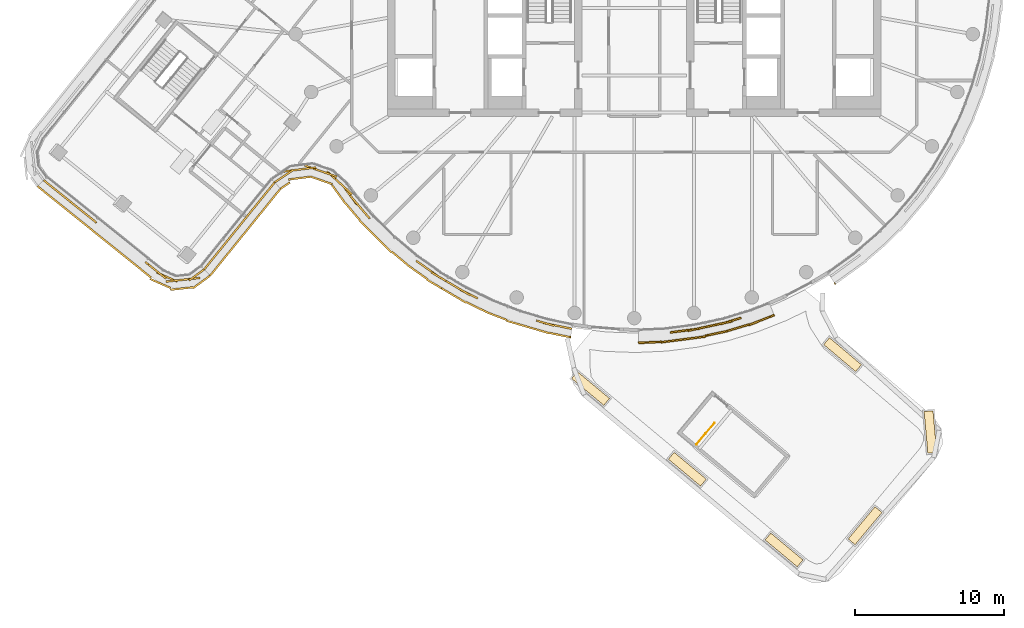
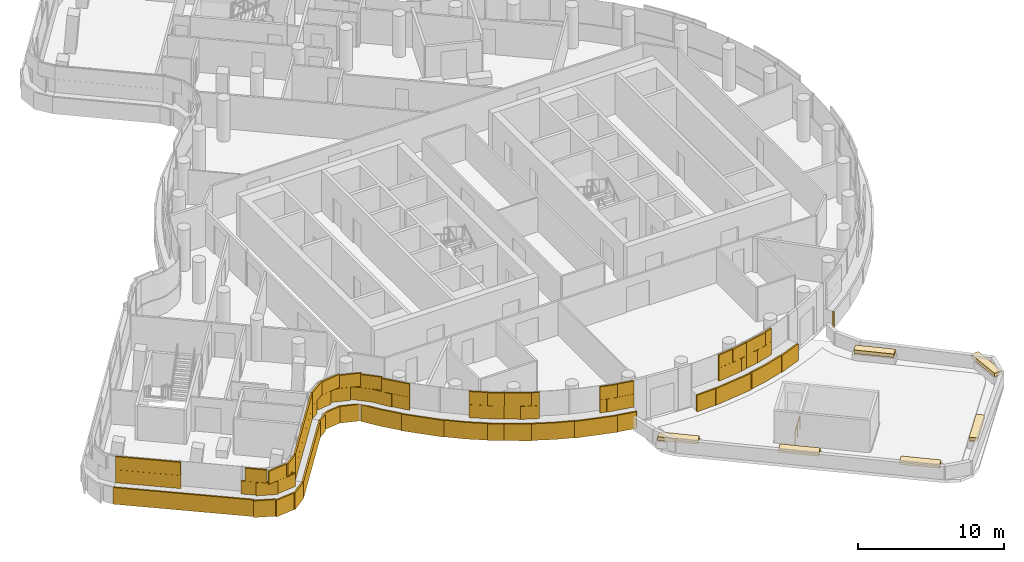
# One storey, part 20 of 25: 12 coverings, 1 railing.
"""IFC4 building model written with IfcOpenShell, lengths in metres."""

from ifc_helpers import new_model, si_unit, direction, frame, origin, origin_2d, place, context, subcontext, project, spatial, rectangle, circle, extrude, material, layer, layer_set, type_object, element, save


model = new_model("IFC4")

# Units and contexts
model_context = context("Model", 3, precision=1e-05, world=origin(), true_north=direction((0.0, 1.0)))
body_context = subcontext(model_context, "Body", "Model", "MODEL_VIEW")
ifc_project = project(units=[si_unit("LENGTHUNIT", "METRE"), si_unit("AREAUNIT", "SQUARE_METRE"), si_unit("VOLUMEUNIT", "CUBIC_METRE"), si_unit("PLANEANGLEUNIT", "RADIAN"), si_unit("MASSUNIT", "GRAM", prefix="KILO")], contexts=[model_context])

# Site, building, storey
site_placement = place(None, origin())
site = spatial("IfcSite", under=ifc_project, at=site_placement, CompositionType="ELEMENT")
building_placement = place(site_placement, origin())
building = spatial("IfcBuilding", under=site, at=building_placement, Name="Tamarind Cross Interchange Tower", CompositionType="ELEMENT")
storey_placement = place(building_placement, frame((0.0, 0.0, 219.89990234375)))
storey = spatial("IfcBuildingStorey", under=building, at=storey_placement, Name="L55", CompositionType="ELEMENT", Elevation=219.89990234375)

# Coverings
ifc_material_1 = material(Name="Planting soil and turf")
covering_type_1 = type_object("IfcCoveringType", Name="Planting bed", PredefinedType="USERDEFINED", material=ifc_material_1)
for number, where, z_axis, x_axis, name in (
    (1, (-2.919921875, -27.703857421875, 0.60009765625), (0.0, 0.0, 1.0), (0.767729103501, -0.640774549773, 0.0), "PLB-L55-RTS0-00"),
    (2, (3.551513671875, -33.10498046875, 0.60009765625), (0.0, 0.0, 1.0), (0.767729103501, -0.640774549773, 0.0), "PLB-L55-RTS0-01"),
    (3, (10.022705078125, -38.50634765625, 0.60009765625), (0.0, 0.0, 1.0), (0.767729103501, -0.640774549773, 0.0), "PLB-L55-RTS0-02"),
    (4, (15.443115234375, -36.886474609375, 0.60009765625), (0.0, 0.0, 1.0), (0.640774549773, 0.767729103501, 0.0), "PLB-L55-RTS0-03"),
    (5, (19.8154296875, -30.61376953125, 0.60009765625), (0.0, 0.0, 1.0), (-0.089770425844, 0.995962484556, 0.0), "PLB-L55-RTS0-04"),
    (6, (13.937744140625, -25.440185546875, 0.60009765625), (0.0, 0.0, 1.0), (-0.764191475133, 0.64498944901, 0.0), "PLB-L55-RTS0-05"),
):
    element("IfcCovering", number, at=place(storey_placement, frame(where, z_axis=z_axis, x_axis=x_axis)), inside=storey, type_object=covering_type_1, Name=name, ObjectType="Planting bed", PredefinedType="USERDEFINED", context=body_context, shape_type="SweptSolid", body=[
        extrude(rectangle(XDim=2.800048828125, YDim=0.60009765625, at=origin_2d()), origin(), (0.0, 0.0, 1.0), 0.300048828125),
    ])

# Railing
ifc_material_2 = material(Name="Stair guard")
railing_type = type_object("IfcRailingType", Name="Stair guard", PredefinedType="GUARDRAIL", material=ifc_material_2)
railing_placement = place(storey_placement, frame((4.154052734375, -31.458740234375, 0.0)))
element("IfcRailing", 7, at=railing_placement, inside=storey, type_object=railing_type, Name="L55 ST6 top well guard 1", PredefinedType="GUARDRAIL", context=body_context, shape_type="SweptSolid", body=[
    extrude(circle(Radius=0.02392578125, at=origin_2d()), frame((0.0, 0.0, 1.076171875), z_axis=(0.640702468313, 0.767789259561, 0.0), x_axis=(-0.767789259561, 0.640702468313, 0.0)), (0.0, 0.0, 1.0), 1.89990234375),
    extrude(circle(Radius=0.02099609375, at=origin_2d()), origin(), (0.0, 0.0, 1.0), 1.052001953125),
    extrude(circle(Radius=0.02099609375, at=origin_2d()), frame((0.608642578125, 0.7294921875, 0.0)), (0.0, 0.0, 1.0), 1.052001953125),
    extrude(circle(Radius=0.02099609375, at=origin_2d()), frame((1.21728515625, 1.458740234375, 0.0)), (0.0, 0.0, 1.0), 1.052001953125),
])

# Coverings
ifc_material_3 = material(Name="Terracotta", Category="masonry")
ifc_layer = layer(ifc_material_3, 0.1201171875)
ifc_layer_set = layer_set([ifc_layer], Name="Terracotta")
covering_type_2 = type_object("IfcCoveringType", Name="Terracotta baguette screen unit", PredefinedType="MOLDING", material=ifc_layer_set)
covering_1_placement = place(storey_placement, origin())
element("IfcCovering", 8, at=covering_1_placement, inside=storey, type_object=covering_type_2, Name="SCR-L55-00-00", PredefinedType="MOLDING", context=body_context, shape_type="SweptSolid", body=[
    extrude(rectangle(XDim=0.760009765625, YDim=0.1201171875, at=origin_2d()), frame((-39.215087890625, -14.008544921875, 1.404296875), z_axis=(0.0, 0.0, 1.0), x_axis=(0.779285467959, -0.62666909883, 0.0)), (0.0, 0.0, 1.0), 1.092041015625),
    extrude(rectangle(XDim=1.52001953125, YDim=0.1201171875, at=origin_2d()), frame((-38.33837890625, -14.71337890625, 1.404296875), z_axis=(0.0, 0.0, 1.0), x_axis=(0.779285467959, -0.62666909883, 0.0)), (0.0, 0.0, 1.0), 1.092041015625),
    extrude(rectangle(XDim=1.52001953125, YDim=0.1201171875, at=origin_2d()), frame((-37.16943359375, -15.653564453125, 1.404296875), z_axis=(0.0, 0.0, 1.0), x_axis=(0.779285467959, -0.62666909883, 0.0)), (0.0, 0.0, 1.0), 1.092041015625),
    extrude(rectangle(XDim=0.78466796875, YDim=0.1201171875, at=origin_2d()), frame((-36.283203125, -16.3662109375, 1.404296875), z_axis=(0.0, 0.0, 1.0), x_axis=(0.779285467959, -0.62666909883, 0.0)), (0.0, 0.0, 1.0), 1.092041015625),
    extrude(rectangle(XDim=1.03515625, YDim=0.1201171875, at=origin_2d()), frame((-32.308837890625, -19.562255859375, 1.404296875), z_axis=(0.0, 0.0, 1.0), x_axis=(0.779285467959, -0.62666909883, 0.0)), (0.0, 0.0, 1.0), 1.092041015625),
    extrude(rectangle(XDim=1.52001953125, YDim=0.1201171875, at=origin_2d()), frame((-31.26025390625, -20.247314453125, 1.404296875), z_axis=(0.0, 0.0, 1.0), x_axis=(0.914925857307, -0.403621946418, 0.0)), (0.0, 0.0, 1.0), 1.092041015625),
    extrude(rectangle(XDim=1.52001953125, YDim=0.1201171875, at=origin_2d()), frame((-29.816162109375, -20.3896484375, 1.404296875), z_axis=(0.0, 0.0, 1.0), x_axis=(0.994160008217, 0.107916069531, 0.0)), (0.0, 0.0, 1.0), 1.092041015625),
    extrude(rectangle(XDim=0.509521484375, YDim=0.1201171875, at=origin_2d()), frame((-28.975830078125, -19.885498046875, 1.404296875), z_axis=(0.0, 0.0, 1.0), x_axis=(0.807009787777, 0.590538061798, 0.0)), (0.0, 0.0, 1.0), 1.092041015625),
    extrude(rectangle(XDim=1.510009765625, YDim=0.1201171875, at=origin_2d()), frame((-38.9228515625, -14.243408203125, 2.50390625), z_axis=(0.0, 0.0, 1.0), x_axis=(0.779285467959, -0.62666909883, 0.0)), (0.0, 0.0, 1.0), 1.092041015625),
    extrude(rectangle(XDim=1.52001953125, YDim=0.1201171875, at=origin_2d()), frame((-37.75390625, -15.183349609375, 2.50390625), z_axis=(0.0, 0.0, 1.0), x_axis=(0.779285467959, -0.62666909883, 0.0)), (0.0, 0.0, 1.0), 1.092041015625),
    extrude(rectangle(XDim=1.52001953125, YDim=0.1201171875, at=origin_2d()), frame((-36.5849609375, -16.12353515625, 2.50390625), z_axis=(0.0, 0.0, 1.0), x_axis=(0.779285467959, -0.62666909883, 0.0)), (0.0, 0.0, 1.0), 1.092041015625),
    extrude(rectangle(XDim=1.52001953125, YDim=0.1201171875, at=origin_2d()), frame((-31.909423828125, -19.883544921875, 2.50390625), z_axis=(0.0, 0.0, 1.0), x_axis=(0.779285467959, -0.62666909883, 0.0)), (0.0, 0.0, 1.0), 1.092041015625),
    extrude(rectangle(XDim=1.52001953125, YDim=0.1201171875, at=origin_2d()), frame((-30.561767578125, -20.470703125, 2.50390625), z_axis=(0.0, 0.0, 1.0), x_axis=(0.994160008217, 0.107916069531, 0.0)), (0.0, 0.0, 1.0), 1.092041015625),
    extrude(rectangle(XDim=1.259521484375, YDim=0.1201171875, at=origin_2d()), frame((-29.278564453125, -20.10693359375, 2.50390625), z_axis=(0.0, 0.0, 1.0), x_axis=(0.807009787777, 0.590538061798, 0.0)), (0.0, 0.0, 1.0), 1.092041015625),
    extrude(rectangle(XDim=0.760009765625, YDim=0.1201171875, at=origin_2d()), frame((-39.6298828125, -14.41162109375, 0.004150390625), z_axis=(0.0, 0.0, 1.0), x_axis=(0.779285467959, -0.62666909883, 0.0)), (0.0, 0.0, 1.0), 1.39208984375),
    extrude(rectangle(XDim=1.52001953125, YDim=0.1201171875, at=origin_2d()), frame((-38.757080078125, -15.11328125, 0.004150390625), z_axis=(0.0, 0.0, 1.0), x_axis=(0.779285467959, -0.62666909883, 0.0)), (0.0, 0.0, 1.0), 1.39208984375),
    extrude(rectangle(XDim=1.52001953125, YDim=0.1201171875, at=origin_2d()), frame((-37.588134765625, -16.053466796875, 0.004150390625), z_axis=(0.0, 0.0, 1.0), x_axis=(0.779285467959, -0.62666909883, 0.0)), (0.0, 0.0, 1.0), 1.39208984375),
    extrude(rectangle(XDim=1.52001953125, YDim=0.1201171875, at=origin_2d()), frame((-36.419189453125, -16.993408203125, 0.004150390625), z_axis=(0.0, 0.0, 1.0), x_axis=(0.779285467959, -0.62666909883, 0.0)), (0.0, 0.0, 1.0), 1.39208984375),
    extrude(rectangle(XDim=1.52001953125, YDim=0.1201171875, at=origin_2d()), frame((-35.250244140625, -17.933349609375, 0.004150390625), z_axis=(0.0, 0.0, 1.0), x_axis=(0.779285467959, -0.62666909883, 0.0)), (0.0, 0.0, 1.0), 1.39208984375),
    extrude(rectangle(XDim=1.52001953125, YDim=0.1201171875, at=origin_2d()), frame((-34.081298828125, -18.873291015625, 0.004150390625), z_axis=(0.0, 0.0, 1.0), x_axis=(0.779285467959, -0.62666909883, 0.0)), (0.0, 0.0, 1.0), 1.39208984375),
    extrude(rectangle(XDim=1.52001953125, YDim=0.1201171875, at=origin_2d()), frame((-32.912353515625, -19.8134765625, 0.004150390625), z_axis=(0.0, 0.0, 1.0), x_axis=(0.779285467959, -0.62666909883, 0.0)), (0.0, 0.0, 1.0), 1.39208984375),
    extrude(rectangle(XDim=1.52001953125, YDim=0.1201171875, at=origin_2d()), frame((-31.699462890625, -20.680908203125, 0.004150390625), z_axis=(0.0, 0.0, 1.0), x_axis=(0.914925857307, -0.403621946418, 0.0)), (0.0, 0.0, 1.0), 1.39208984375),
    extrude(rectangle(XDim=1.52001953125, YDim=0.1201171875, at=origin_2d()), frame((-30.285400390625, -21.01806640625, 0.004150390625), z_axis=(0.0, 0.0, 1.0), x_axis=(0.994160008217, 0.107916069531, 0.0)), (0.0, 0.0, 1.0), 1.39208984375),
    extrude(rectangle(XDim=1.426025390625, YDim=0.1201171875, at=origin_2d()), frame((-28.95068359375, -20.578125, 0.004150390625), z_axis=(0.0, 0.0, 1.0), x_axis=(0.807009787777, 0.590538061798, 0.0)), (0.0, 0.0, 1.0), 1.39208984375),
])
covering_2_placement = place(storey_placement, origin())
element("IfcCovering", 9, at=covering_2_placement, inside=storey, type_object=covering_type_2, Name="SCR-L55-01-00", PredefinedType="MOLDING", context=body_context, shape_type="SweptSolid", body=[
    extrude(rectangle(XDim=0.760009765625, YDim=0.1201171875, at=origin_2d()), frame((-28.538330078125, -19.446533203125, 1.404296875), z_axis=(0.0, 0.0, 1.0), x_axis=(0.629405990184, 0.777076636839, 0.0)), (0.0, 0.0, 1.0), 1.092041015625),
    extrude(rectangle(XDim=1.52001953125, YDim=0.1201171875, at=origin_2d()), frame((-27.830322265625, -18.572265625, 1.404296875), z_axis=(0.0, 0.0, 1.0), x_axis=(0.629405990184, 0.777076636839, 0.0)), (0.0, 0.0, 1.0), 1.092041015625),
    extrude(rectangle(XDim=1.52001953125, YDim=0.1201171875, at=origin_2d()), frame((-26.88623046875, -17.40673828125, 1.404296875), z_axis=(0.0, 0.0, 1.0), x_axis=(0.629405990184, 0.777076636839, 0.0)), (0.0, 0.0, 1.0), 1.092041015625),
    extrude(rectangle(XDim=1.52001953125, YDim=0.1201171875, at=origin_2d()), frame((-25.942138671875, -16.240966796875, 1.404296875), z_axis=(0.0, 0.0, 1.0), x_axis=(0.629405990184, 0.777076636839, 0.0)), (0.0, 0.0, 1.0), 1.092041015625),
    extrude(rectangle(XDim=1.52001953125, YDim=0.1201171875, at=origin_2d()), frame((-24.998046875, -15.075439453125, 1.404296875), z_axis=(0.0, 0.0, 1.0), x_axis=(0.629405990184, 0.777076636839, 0.0)), (0.0, 0.0, 1.0), 1.092041015625),
    extrude(rectangle(XDim=0.75537109375, YDim=0.1201171875, at=origin_2d()), frame((-24.291259765625, -14.203125, 1.404296875), z_axis=(0.0, 0.0, 1.0), x_axis=(0.629405990184, 0.777076636839, 0.0)), (0.0, 0.0, 1.0), 1.092041015625),
    extrude(rectangle(XDim=1.510009765625, YDim=0.1201171875, at=origin_2d()), frame((-28.30224609375, -19.155029296875, 2.50390625), z_axis=(0.0, 0.0, 1.0), x_axis=(0.629405990184, 0.777076636839, 0.0)), (0.0, 0.0, 1.0), 1.092041015625),
    extrude(rectangle(XDim=1.52001953125, YDim=0.1201171875, at=origin_2d()), frame((-27.358154296875, -17.989501953125, 2.50390625), z_axis=(0.0, 0.0, 1.0), x_axis=(0.629405990184, 0.777076636839, 0.0)), (0.0, 0.0, 1.0), 1.092041015625),
    extrude(rectangle(XDim=1.52001953125, YDim=0.1201171875, at=origin_2d()), frame((-26.4140625, -16.823974609375, 2.50390625), z_axis=(0.0, 0.0, 1.0), x_axis=(0.629405990184, 0.777076636839, 0.0)), (0.0, 0.0, 1.0), 1.092041015625),
    extrude(rectangle(XDim=1.52001953125, YDim=0.1201171875, at=origin_2d()), frame((-25.469970703125, -15.658203125, 2.50390625), z_axis=(0.0, 0.0, 1.0), x_axis=(0.629405990184, 0.777076636839, 0.0)), (0.0, 0.0, 1.0), 1.092041015625),
    extrude(rectangle(XDim=1.50537109375, YDim=0.1201171875, at=origin_2d()), frame((-24.52734375, -14.494384765625, 2.50390625), z_axis=(0.0, 0.0, 1.0), x_axis=(0.629405990184, 0.777076636839, 0.0)), (0.0, 0.0, 1.0), 1.092041015625),
    extrude(rectangle(XDim=0.760009765625, YDim=0.1201171875, at=origin_2d()), frame((-28.135986328125, -19.86181640625, 0.004150390625), z_axis=(0.0, 0.0, 1.0), x_axis=(0.629405990184, 0.777076636839, 0.0)), (0.0, 0.0, 1.0), 1.39208984375),
    extrude(rectangle(XDim=1.52001953125, YDim=0.1201171875, at=origin_2d()), frame((-27.43115234375, -18.991455078125, 0.004150390625), z_axis=(0.0, 0.0, 1.0), x_axis=(0.629405990184, 0.777076636839, 0.0)), (0.0, 0.0, 1.0), 1.39208984375),
    extrude(rectangle(XDim=1.52001953125, YDim=0.1201171875, at=origin_2d()), frame((-26.487060546875, -17.825927734375, 0.004150390625), z_axis=(0.0, 0.0, 1.0), x_axis=(0.629405990184, 0.777076636839, 0.0)), (0.0, 0.0, 1.0), 1.39208984375),
    extrude(rectangle(XDim=1.52001953125, YDim=0.1201171875, at=origin_2d()), frame((-25.54296875, -16.66015625, 0.004150390625), z_axis=(0.0, 0.0, 1.0), x_axis=(0.629405990184, 0.777076636839, 0.0)), (0.0, 0.0, 1.0), 1.39208984375),
    extrude(rectangle(XDim=1.52001953125, YDim=0.1201171875, at=origin_2d()), frame((-24.598876953125, -15.49462890625, 0.004150390625), z_axis=(0.0, 0.0, 1.0), x_axis=(0.629405990184, 0.777076636839, 0.0)), (0.0, 0.0, 1.0), 1.39208984375),
    extrude(rectangle(XDim=0.743896484375, YDim=0.1201171875, at=origin_2d()), frame((-23.89892578125, -14.630615234375, 0.004150390625), z_axis=(0.0, 0.0, 1.0), x_axis=(0.629405990184, 0.777076636839, 0.0)), (0.0, 0.0, 1.0), 1.39208984375),
])
covering_3_placement = place(storey_placement, origin())
element("IfcCovering", 10, at=covering_3_placement, inside=storey, type_object=covering_type_2, Name="SCR-L55-02-00", PredefinedType="MOLDING", context=body_context, shape_type="SweptSolid", body=[
    extrude(rectangle(XDim=0.760009765625, YDim=0.1201171875, at=origin_2d()), frame((-23.745849609375, -13.7041015625, 1.404296875), z_axis=(0.0, 0.0, 1.0), x_axis=(0.829442632661, 0.5585919075, 0.0)), (0.0, 0.0, 1.0), 1.092041015625),
    extrude(rectangle(XDim=1.52001953125, YDim=0.1201171875, at=origin_2d()), frame((-22.801513671875, -13.105224609375, 1.404296875), z_axis=(0.0, 0.0, 1.0), x_axis=(0.992125388704, 0.125248605136, 0.0)), (0.0, 0.0, 1.0), 1.092041015625),
    extrude(rectangle(XDim=1.52001953125, YDim=0.1201171875, at=origin_2d()), frame((-21.325927734375, -13.03564453125, 1.404296875), z_axis=(0.0, 0.0, 1.0), x_axis=(0.944249401922, -0.329231023706, 0.0)), (0.0, 0.0, 1.0), 1.092041015625),
    extrude(rectangle(XDim=1.52001953125, YDim=0.1201171875, at=origin_2d()), frame((-20.002197265625, -13.684814453125, 1.404296875), z_axis=(0.0, 0.0, 1.0), x_axis=(0.737609974516, -0.675227017746, 0.0)), (0.0, 0.0, 1.0), 1.092041015625),
    extrude(rectangle(XDim=1.52001953125, YDim=0.1201171875, at=origin_2d()), frame((-19.003173828125, -14.793701171875, 1.404296875), z_axis=(0.0, 0.0, 1.0), x_axis=(0.589398309735, -0.807842579022, 0.0)), (0.0, 0.0, 1.0), 1.092041015625),
    extrude(rectangle(XDim=1.28515625, YDim=0.1201171875, at=origin_2d()), frame((-18.10791015625, -15.853515625, 1.404296875), z_axis=(0.0, 0.0, 1.0), x_axis=(0.64957723968, -0.760295606781, 0.0)), (0.0, 0.0, 1.0), 1.092041015625),
    extrude(rectangle(XDim=0.534912109375, YDim=0.1201171875, at=origin_2d()), frame((-14.3740234375, -19.309814453125, 1.404296875), z_axis=(0.0, 0.0, 1.0), x_axis=(0.816341886298, -0.577568978284, 0.0)), (0.0, 0.0, 1.0), 1.092041015625),
    extrude(rectangle(XDim=1.52001953125, YDim=0.1201171875, at=origin_2d()), frame((-13.547607421875, -19.89453125, 1.404296875), z_axis=(0.0, 0.0, 1.0), x_axis=(0.816341886298, -0.577568978284, 0.0)), (0.0, 0.0, 1.0), 1.092041015625),
    extrude(rectangle(XDim=0.403564453125, YDim=0.1201171875, at=origin_2d()), frame((-12.75732421875, -20.4150390625, 1.404296875), z_axis=(0.0, 0.0, 1.0), x_axis=(0.861248933065, -0.508183308752, 0.0)), (0.0, 0.0, 1.0), 1.092041015625),
    extrude(rectangle(XDim=1.510009765625, YDim=0.1201171875, at=origin_2d()), frame((-23.434814453125, -13.49462890625, 2.50390625), z_axis=(0.0, 0.0, 1.0), x_axis=(0.829442632661, 0.5585919075, 0.0)), (0.0, 0.0, 1.0), 1.092041015625),
    extrude(rectangle(XDim=1.52001953125, YDim=0.1201171875, at=origin_2d()), frame((-22.057373046875, -13.01123046875, 2.50390625), z_axis=(0.0, 0.0, 1.0), x_axis=(0.992125388704, 0.125248605136, 0.0)), (0.0, 0.0, 1.0), 1.092041015625),
    extrude(rectangle(XDim=1.52001953125, YDim=0.1201171875, at=origin_2d()), frame((-20.61767578125, -13.282470703125, 2.50390625), z_axis=(0.0, 0.0, 1.0), x_axis=(0.944249401922, -0.329231023706, 0.0)), (0.0, 0.0, 1.0), 1.092041015625),
    extrude(rectangle(XDim=1.52001953125, YDim=0.1201171875, at=origin_2d()), frame((-19.448974609375, -14.191162109375, 2.50390625), z_axis=(0.0, 0.0, 1.0), x_axis=(0.737609974516, -0.675227017746, 0.0)), (0.0, 0.0, 1.0), 1.092041015625),
    extrude(rectangle(XDim=1.52001953125, YDim=0.1201171875, at=origin_2d()), frame((-18.522216796875, -15.36865234375, 2.50390625), z_axis=(0.0, 0.0, 1.0), x_axis=(0.64957723968, -0.760295606781, 0.0)), (0.0, 0.0, 1.0), 1.092041015625),
    extrude(rectangle(XDim=0.53515625, YDim=0.1201171875, at=origin_2d()), frame((-17.864501953125, -16.138427734375, 2.50390625), z_axis=(0.0, 0.0, 1.0), x_axis=(0.64957723968, -0.760295606781, 0.0)), (0.0, 0.0, 1.0), 1.092041015625),
    extrude(rectangle(XDim=1.284912109375, YDim=0.1201171875, at=origin_2d()), frame((-14.06787109375, -19.5263671875, 2.50390625), z_axis=(0.0, 0.0, 1.0), x_axis=(0.816341886298, -0.577568978284, 0.0)), (0.0, 0.0, 1.0), 1.092041015625),
    extrude(rectangle(XDim=1.153564453125, YDim=0.1201171875, at=origin_2d()), frame((-13.080322265625, -20.224365234375, 2.50390625), z_axis=(0.0, 0.0, 1.0), x_axis=(0.861248933065, -0.508183308752, 0.0)), (0.0, 0.0, 1.0), 1.092041015625),
    extrude(rectangle(XDim=0.760009765625, YDim=0.1201171875, at=origin_2d()), frame((-23.349609375, -14.12939453125, 0.004150390625), z_axis=(0.0, 0.0, 1.0), x_axis=(0.829442632661, 0.5585919075, 0.0)), (0.0, 0.0, 1.0), 1.39208984375),
    extrude(rectangle(XDim=1.52001953125, YDim=0.1201171875, at=origin_2d()), frame((-22.373291015625, -13.629638671875, 0.004150390625), z_axis=(0.0, 0.0, 1.0), x_axis=(0.992125388704, 0.125248605136, 0.0)), (0.0, 0.0, 1.0), 1.39208984375),
    extrude(rectangle(XDim=1.52001953125, YDim=0.1201171875, at=origin_2d()), frame((-20.92138671875, -13.784423828125, 0.004150390625), z_axis=(0.0, 0.0, 1.0), x_axis=(0.944249401922, -0.329231023706, 0.0)), (0.0, 0.0, 1.0), 1.39208984375),
    extrude(rectangle(XDim=1.52001953125, YDim=0.1201171875, at=origin_2d()), frame((-19.773681640625, -14.71142578125, 0.004150390625), z_axis=(0.0, 0.0, 1.0), x_axis=(0.589398309735, -0.807842579022, 0.0)), (0.0, 0.0, 1.0), 1.39208984375),
    extrude(rectangle(XDim=1.52001953125, YDim=0.1201171875, at=origin_2d()), frame((-18.838134765625, -15.882568359375, 0.004150390625), z_axis=(0.0, 0.0, 1.0), x_axis=(0.64957723968, -0.760295606781, 0.0)), (0.0, 0.0, 1.0), 1.39208984375),
    extrude(rectangle(XDim=1.52001953125, YDim=0.1201171875, at=origin_2d()), frame((-17.844482421875, -17.0048828125, 0.004150390625), z_axis=(0.0, 0.0, 1.0), x_axis=(0.710143317658, -0.704057148523, 0.0)), (0.0, 0.0, 1.0), 1.39208984375),
    extrude(rectangle(XDim=1.52001953125, YDim=0.1201171875, at=origin_2d()), frame((-16.779296875, -18.06103515625, 0.004150390625), z_axis=(0.0, 0.0, 1.0), x_axis=(0.710143317658, -0.704057148523, 0.0)), (0.0, 0.0, 1.0), 1.39208984375),
    extrude(rectangle(XDim=1.52001953125, YDim=0.1201171875, at=origin_2d()), frame((-15.642578125, -19.038818359375, 0.004150390625), z_axis=(0.0, 0.0, 1.0), x_axis=(0.765858396687, -0.643009266048, 0.0)), (0.0, 0.0, 1.0), 1.39208984375),
    extrude(rectangle(XDim=1.52001953125, YDim=0.1201171875, at=origin_2d()), frame((-14.456298828125, -19.954833984375, 0.004150390625), z_axis=(0.0, 0.0, 1.0), x_axis=(0.816341886298, -0.577568978284, 0.0)), (0.0, 0.0, 1.0), 1.39208984375),
    extrude(rectangle(XDim=1.1484375, YDim=0.1201171875, at=origin_2d()), frame((-13.382568359375, -20.71240234375, 0.004150390625), z_axis=(0.0, 0.0, 1.0), x_axis=(0.861248933065, -0.508183308752, 0.0)), (0.0, 0.0, 1.0), 1.39208984375),
])
covering_4_placement = place(storey_placement, origin())
element("IfcCovering", 11, at=covering_4_placement, inside=storey, type_object=covering_type_2, Name="SCR-L55-02-01", PredefinedType="MOLDING", context=body_context, shape_type="SweptSolid", body=[
    extrude(rectangle(XDim=1.116455078125, YDim=0.1201171875, at=origin_2d()), frame((-12.111572265625, -20.796142578125, 1.404296875), z_axis=(0.0, 0.0, 1.0), x_axis=(0.861248933065, -0.508183308752, 0.0)), (0.0, 0.0, 1.0), 1.092041015625),
    extrude(rectangle(XDim=1.3251953125, YDim=0.1201171875, at=origin_2d()), frame((-11.054931640625, -21.3857421875, 1.404296875), z_axis=(0.0, 0.0, 1.0), x_axis=(0.900272776334, -0.435326231914, 0.0)), (0.0, 0.0, 1.0), 1.092041015625),
    extrude(rectangle(XDim=0.49462890625, YDim=0.1201171875, at=origin_2d()), frame((-6.310791015625, -23.228271484375, 1.404296875), z_axis=(0.0, 0.0, 1.0), x_axis=(0.95964657186, -0.281208920763, 0.0)), (0.0, 0.0, 1.0), 1.092041015625),
    extrude(rectangle(XDim=1.52001953125, YDim=0.1201171875, at=origin_2d()), frame((-5.348876953125, -23.46923828125, 1.404296875), z_axis=(0.0, 0.0, 1.0), x_axis=(0.9795909409, -0.201001463943, 0.0)), (0.0, 0.0, 1.0), 1.092041015625),
    extrude(rectangle(XDim=0.44677734375, YDim=0.1201171875, at=origin_2d()), frame((-4.400390625, -23.6640625, 1.404296875), z_axis=(0.0, 0.0, 1.0), x_axis=(0.9795909409, -0.201001463943, 0.0)), (0.0, 0.0, 1.0), 1.092041015625),
    extrude(rectangle(XDim=0.366455078125, YDim=0.1201171875, at=origin_2d()), frame((-12.434326171875, -20.60546875, 2.50390625), z_axis=(0.0, 0.0, 1.0), x_axis=(0.861248933065, -0.508183308752, 0.0)), (0.0, 0.0, 1.0), 1.092041015625),
    extrude(rectangle(XDim=1.52001953125, YDim=0.1201171875, at=origin_2d()), frame((-11.635009765625, -21.0771484375, 2.50390625), z_axis=(0.0, 0.0, 1.0), x_axis=(0.861248933065, -0.508183308752, 0.0)), (0.0, 0.0, 1.0), 1.092041015625),
    extrude(rectangle(XDim=0.5751953125, YDim=0.1201171875, at=origin_2d()), frame((-10.71728515625, -21.548828125, 2.50390625), z_axis=(0.0, 0.0, 1.0), x_axis=(0.900272776334, -0.435326231914, 0.0)), (0.0, 0.0, 1.0), 1.092041015625),
    extrude(rectangle(XDim=1.24462890625, YDim=0.1201171875, at=origin_2d()), frame((-5.950927734375, -23.33349609375, 2.50390625), z_axis=(0.0, 0.0, 1.0), x_axis=(0.95964657186, -0.281208920763, 0.0)), (0.0, 0.0, 1.0), 1.092041015625),
    extrude(rectangle(XDim=1.19677734375, YDim=0.1201171875, at=origin_2d()), frame((-4.767578125, -23.588623046875, 2.50390625), z_axis=(0.0, 0.0, 1.0), x_axis=(0.9795909409, -0.201001463943, 0.0)), (0.0, 0.0, 1.0), 1.092041015625),
    extrude(rectangle(XDim=0.37158203125, YDim=0.1201171875, at=origin_2d()), frame((-12.72802734375, -21.0986328125, 0.004150390625), z_axis=(0.0, 0.0, 1.0), x_axis=(0.861248933065, -0.508183308752, 0.0)), (0.0, 0.0, 1.0), 1.39208984375),
    extrude(rectangle(XDim=1.52001953125, YDim=0.1201171875, at=origin_2d()), frame((-11.9306640625, -21.5693359375, 0.004150390625), z_axis=(0.0, 0.0, 1.0), x_axis=(0.861248933065, -0.508183308752, 0.0)), (0.0, 0.0, 1.0), 1.39208984375),
    extrude(rectangle(XDim=1.52001953125, YDim=0.1201171875, at=origin_2d()), frame((-10.59326171875, -22.24658203125, 0.004150390625), z_axis=(0.0, 0.0, 1.0), x_axis=(0.900272776334, -0.435326231914, 0.0)), (0.0, 0.0, 1.0), 1.39208984375),
    extrude(rectangle(XDim=1.52001953125, YDim=0.1201171875, at=origin_2d()), frame((-9.22216796875, -22.851806640625, 0.004150390625), z_axis=(0.0, 0.0, 1.0), x_axis=(0.933146843667, -0.359495435512, 0.0)), (0.0, 0.0, 1.0), 1.39208984375),
    extrude(rectangle(XDim=1.52001953125, YDim=0.1201171875, at=origin_2d()), frame((-7.820068359375, -23.384033203125, 0.004150390625), z_axis=(0.0, 0.0, 1.0), x_axis=(0.95964657186, -0.281208920763, 0.0)), (0.0, 0.0, 1.0), 1.39208984375),
    extrude(rectangle(XDim=1.52001953125, YDim=0.1201171875, at=origin_2d()), frame((-6.380615234375, -23.805908203125, 0.004150390625), z_axis=(0.0, 0.0, 1.0), x_axis=(0.95964657186, -0.281208920763, 0.0)), (0.0, 0.0, 1.0), 1.39208984375),
    extrude(rectangle(XDim=1.4072265625, YDim=0.1201171875, at=origin_2d()), frame((-4.975341796875, -24.1318359375, 0.004150390625), z_axis=(0.0, 0.0, 1.0), x_axis=(0.9795909409, -0.201001463943, 0.0)), (0.0, 0.0, 1.0), 1.39208984375),
])
covering_5_placement = place(storey_placement, origin())
element("IfcCovering", 12, at=covering_5_placement, inside=storey, type_object=covering_type_2, Name="SCR-L55-02-02", PredefinedType="MOLDING", context=body_context, shape_type="SweptSolid", body=[
    extrude(rectangle(XDim=0.45166015625, YDim=0.1201171875, at=origin_2d()), frame((2.626953125, -23.926025390625, 1.404296875), z_axis=(0.0, 0.0, 1.0), x_axis=(0.991779070368, 0.127962008342, 0.0)), (0.0, 0.0, 1.0), 1.092041015625),
    extrude(rectangle(XDim=1.52001953125, YDim=0.1201171875, at=origin_2d()), frame((3.58984375, -23.8017578125, 1.404296875), z_axis=(0.0, 0.0, 1.0), x_axis=(0.991779070368, 0.127962008342, 0.0)), (0.0, 0.0, 1.0), 1.092041015625),
    extrude(rectangle(XDim=0.489501953125, YDim=0.1201171875, at=origin_2d()), frame((4.564453125, -23.633544921875, 1.404296875), z_axis=(0.0, 0.0, 1.0), x_axis=(0.977824623121, 0.209425419705, 0.0)), (0.0, 0.0, 1.0), 1.092041015625),
    extrude(rectangle(XDim=1.20166015625, YDim=0.1201171875, at=origin_2d()), frame((2.9990234375, -23.8779296875, 2.50390625), z_axis=(0.0, 0.0, 1.0), x_axis=(0.991779070368, 0.127962008342, 0.0)), (0.0, 0.0, 1.0), 1.092041015625),
    extrude(rectangle(XDim=1.239501953125, YDim=0.1201171875, at=origin_2d()), frame((4.19775390625, -23.712158203125, 2.50390625), z_axis=(0.0, 0.0, 1.0), x_axis=(0.977824623121, 0.209425419705, 0.0)), (0.0, 0.0, 1.0), 1.092041015625),
    extrude(rectangle(XDim=0.03076171875, YDim=0.1201171875, at=origin_2d()), frame((-4.27099609375, -24.2763671875, 0.004150390625), z_axis=(0.0, 0.0, 1.0), x_axis=(0.9795909409, -0.201001463943, 0.0)), (0.0, 0.0, 1.0), 1.39208984375),
    extrude(rectangle(XDim=1.52001953125, YDim=0.1201171875, at=origin_2d()), frame((1.042724609375, -24.617431640625, 0.004150390625), z_axis=(0.0, 0.0, 1.0), x_axis=(0.998958660912, 0.045624486728, 0.0)), (0.0, 0.0, 1.0), 1.39208984375),
    extrude(rectangle(XDim=1.52001953125, YDim=0.1201171875, at=origin_2d()), frame((2.538330078125, -24.51611328125, 0.004150390625), z_axis=(0.0, 0.0, 1.0), x_axis=(0.991779070368, 0.127962008342, 0.0)), (0.0, 0.0, 1.0), 1.39208984375),
    extrude(rectangle(XDim=1.52001953125, YDim=0.1201171875, at=origin_2d()), frame((4.02587890625, -24.32421875, 0.004150390625), z_axis=(0.0, 0.0, 1.0), x_axis=(0.991779070368, 0.127962008342, 0.0)), (0.0, 0.0, 1.0), 1.39208984375),
    extrude(rectangle(XDim=0.16552734375, YDim=0.1201171875, at=origin_2d()), frame((4.83251953125, -24.163330078125, 0.004150390625), z_axis=(0.0, 0.0, 1.0), x_axis=(0.977824623121, 0.209425419705, 0.0)), (0.0, 0.0, 1.0), 1.39208984375),
])
covering_6_placement = place(storey_placement, origin())
element("IfcCovering", 13, at=covering_6_placement, inside=storey, type_object=covering_type_2, Name="SCR-L55-02-03", PredefinedType="MOLDING", context=body_context, shape_type="SweptSolid", body=[
    extrude(rectangle(XDim=1.030517578125, YDim=0.1201171875, at=origin_2d()), frame((5.2978515625, -23.4765625, 1.404296875), z_axis=(0.0, 0.0, 1.0), x_axis=(0.977824623121, 0.209425419705, 0.0)), (0.0, 0.0, 1.0), 1.092041015625),
    extrude(rectangle(XDim=1.4111328125, YDim=0.1201171875, at=origin_2d()), frame((6.471923828125, -23.1845703125, 1.404296875), z_axis=(0.0, 0.0, 1.0), x_axis=(0.957190642199, 0.289458243079, 0.0)), (0.0, 0.0, 1.0), 1.092041015625),
    extrude(rectangle(XDim=0.280517578125, YDim=0.1201171875, at=origin_2d()), frame((4.93115234375, -23.55517578125, 2.50390625), z_axis=(0.0, 0.0, 1.0), x_axis=(0.977824623121, 0.209425419705, 0.0)), (0.0, 0.0, 1.0), 1.092041015625),
    extrude(rectangle(XDim=1.52001953125, YDim=0.1201171875, at=origin_2d()), frame((5.796875, -23.36962890625, 2.50390625), z_axis=(0.0, 0.0, 1.0), x_axis=(0.977824623121, 0.209425419705, 0.0)), (0.0, 0.0, 1.0), 1.092041015625),
    extrude(rectangle(XDim=0.6611328125, YDim=0.1201171875, at=origin_2d()), frame((6.830810546875, -23.076171875, 2.50390625), z_axis=(0.0, 0.0, 1.0), x_axis=(0.957190642199, 0.289458243079, 0.0)), (0.0, 0.0, 1.0), 1.092041015625),
    extrude(rectangle(XDim=1.354248046875, YDim=0.1201171875, at=origin_2d()), frame((5.57568359375, -24.004150390625, 0.004150390625), z_axis=(0.0, 0.0, 1.0), x_axis=(0.977824623121, 0.209425419705, 0.0)), (0.0, 0.0, 1.0), 1.39208984375),
    extrude(rectangle(XDim=1.52001953125, YDim=0.1201171875, at=origin_2d()), frame((6.9443359375, -23.641357421875, 0.004150390625), z_axis=(0.0, 0.0, 1.0), x_axis=(0.957190642199, 0.289458243079, 0.0)), (0.0, 0.0, 1.0), 1.39208984375),
    extrude(rectangle(XDim=1.52001953125, YDim=0.1201171875, at=origin_2d()), frame((8.37255859375, -23.18505859375, 0.004150390625), z_axis=(0.0, 0.0, 1.0), x_axis=(0.930018078613, 0.367513773146, 0.0)), (0.0, 0.0, 1.0), 1.39208984375),
    extrude(rectangle(XDim=0.325927734375, YDim=0.1201171875, at=origin_2d()), frame((9.212158203125, -22.85302734375, 0.004150390625), z_axis=(0.0, 0.0, 1.0), x_axis=(0.930018078613, 0.367513773146, 0.0)), (0.0, 0.0, 1.0), 1.39208984375),
    extrude(rectangle(XDim=0.03076171875, YDim=0.1201171875, at=origin_2d()), frame((13.421875, -20.679931640625, 0.004150390625), z_axis=(0.0, 0.0, 1.0), x_axis=(0.856843065292, 0.515577308909, 0.0)), (0.0, 0.0, 1.0), 1.39208984375),
])

save(model, "model.ifc")
